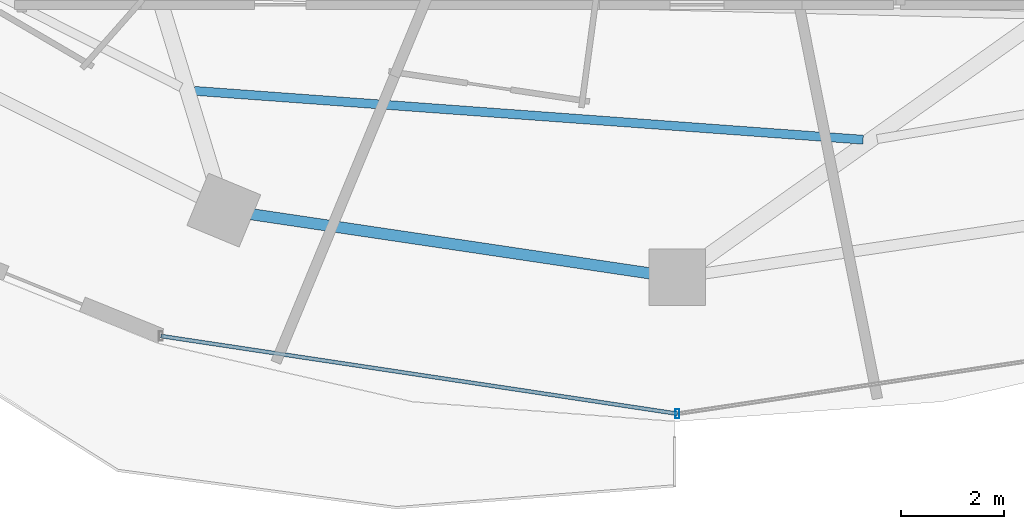
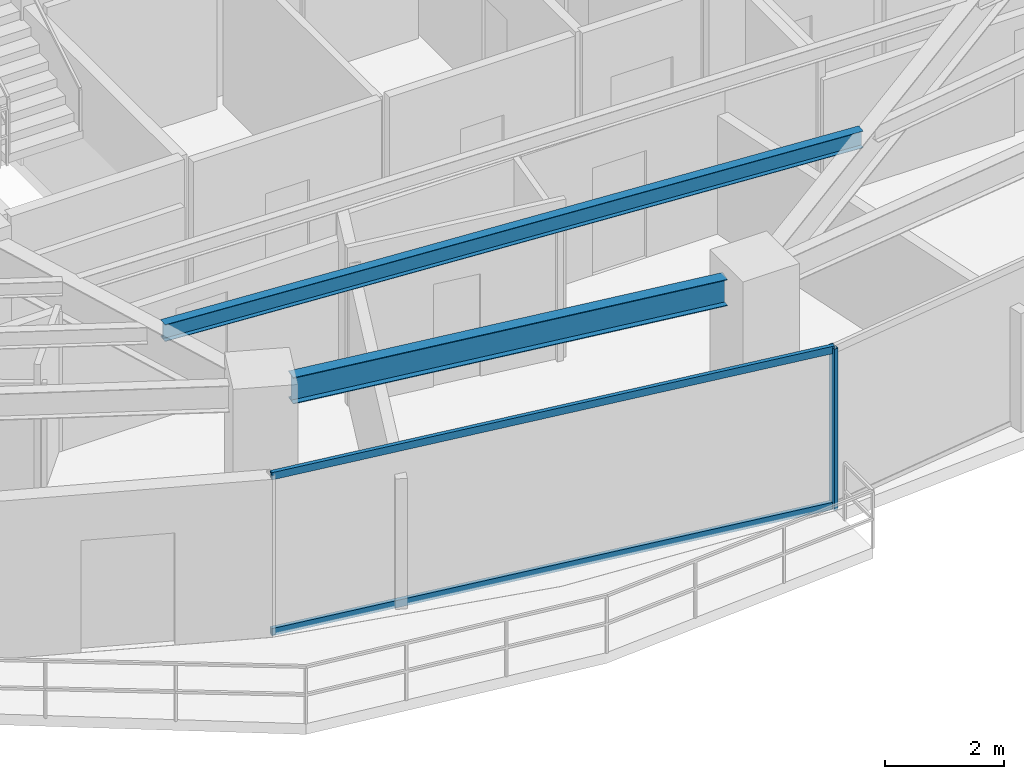
# One storey, part 5 of 29: 3 members, 2 beams, 1 element without a shape of its own.
"""IFC4 building model written with IfcOpenShell, lengths in metres."""

from ifc_helpers import new_model, si_unit, direction, frame, origin, origin_2d, place, context, subcontext, project, spatial, hollow_rectangle, i_section, extrude, material, material_profile, profile_set, type_object, element, aggregate, save


model = new_model("IFC4")

# Units and contexts
model_context = context("Model", 3, precision=1e-05, world=origin(), true_north=direction((0.0, 1.0)))
body_context = subcontext(model_context, "Body", "Model", "MODEL_VIEW")
ifc_project = project(units=[si_unit("LENGTHUNIT", "METRE"), si_unit("AREAUNIT", "SQUARE_METRE"), si_unit("VOLUMEUNIT", "CUBIC_METRE"), si_unit("PLANEANGLEUNIT", "RADIAN"), si_unit("MASSUNIT", "GRAM", prefix="KILO")], contexts=[model_context])

# Site, building, storey
site_placement = place(None, origin())
site = spatial("IfcSite", under=ifc_project, at=site_placement, CompositionType="ELEMENT")
building_placement = place(site_placement, origin())
building = spatial("IfcBuilding", under=site, at=building_placement, Name="Vorneva Point Tower", CompositionType="ELEMENT")
storey_placement = place(building_placement, frame((0.0, 0.0, 85.800048828125)))
storey = spatial("IfcBuildingStorey", under=building, at=storey_placement, Name="L22", CompositionType="ELEMENT", Elevation=85.800048828125)

# Beams
ifc_material_1 = material(Name="Steel S355", Category="steel")
ifc_material_profile_1 = material_profile(ifc_material_1, i_section(OverallWidth=0.174072265625, OverallDepth=0.345947265625, WebThickness=0.006103515625, FlangeThickness=0.009033203125, at=origin_2d()), Name="35B1")
ifc_profile_set_1 = profile_set([ifc_material_profile_1], Name="Steel S355")
beam_type_1 = type_object("IfcBeamType", Name="BM-SEC-35B1", PredefinedType="BEAM", material=ifc_profile_set_1)
beam_1_placement = place(storey_placement, frame((28.60791015625, 12.42919921875, 3.06689453125), z_axis=(0.997338408096, -0.072911588494, 0.0), x_axis=(0.072911588494, 0.997338408096, 0.0)))
element("IfcBeam", 1, at=beam_1_placement, inside=storey, type_object=beam_type_1, Name="L22 Secondary Floor Beam 1.12", PredefinedType="BEAM", context=body_context, shape_type="SweptSolid", body=[
    extrude(i_section(OverallWidth=0.174072265625, OverallDepth=0.345947265625, WebThickness=0.006103515625, FlangeThickness=0.009033203125, at=origin_2d()), origin(), (0.0, 0.0, 1.0), 13.038818359375),
])
ifc_material_profile_2 = material_profile(ifc_material_1, i_section(OverallWidth=0.219970703125, OverallDepth=0.54296875, WebThickness=0.009521484375, FlangeThickness=0.013427734375, at=origin_2d()), Name="55B1")
ifc_profile_set_2 = profile_set([ifc_material_profile_2], Name="Steel S355")
beam_type_2 = type_object("IfcBeamType", Name="BM-SPN-55B1", PredefinedType="SPANDREL", material=ifc_profile_set_2)
beam_2_placement = place(storey_placement, frame((29.708251953125, 10.03076171875, 2.968505859375), z_axis=(0.989164507783, -0.146811363806, 0.0), x_axis=(0.146811363806, 0.989164507783, 0.0)))
element("IfcBeam", 2, at=beam_2_placement, inside=storey, type_object=beam_type_2, Name="L22 Perimeter Spandrel Ring Beam 12", PredefinedType="SPANDREL", context=body_context, shape_type="SweptSolid", body=[
    extrude(i_section(OverallWidth=0.219970703125, OverallDepth=0.54296875, WebThickness=0.009521484375, FlangeThickness=0.013427734375, at=origin_2d()), origin(), (0.0, 0.0, 1.0), 7.847412109375),
])

# Curtain wall, members
ifc_material_2 = material(Name="Pale anodised aluminium", Category="aluminium")
curtain_wall_type = type_object("IfcCurtainWallType", Name="CW-HTL-SYS", PredefinedType="NOTDEFINED", material=ifc_material_2)
curtain_wall_placement = place(storey_placement, origin())
curtain_wall = element("IfcCurtainWall", 3, at=curtain_wall_placement, inside=storey, type_object=curtain_wall_type, Name="L22 Unitised Curtain Wall CW-L22-R03", PredefinedType="NOTDEFINED")
ifc_material_profile_3 = material_profile(ifc_material_2, hollow_rectangle(XDim=0.074951171875, YDim=0.179931640625, WallThickness=0.00390625, at=origin_2d()), Name="AL-MUL 180x75x4")
ifc_profile_set_3 = profile_set([ifc_material_profile_3], Name="Pale anodised aluminium")
member_type_1 = type_object("IfcMemberType", Name="CW-MUL-180", PredefinedType="MULLION", material=ifc_profile_set_3)
member_1_placement = place(storey_placement, frame((38.0, 6.14990234375, -0.0400390625), z_axis=(0.0, 0.0, 1.0), x_axis=(1.0, 0.0, 0.0)))
member_1 = element("IfcMember", 4, at=member_1_placement, type_object=member_type_1, Name="CW-L22-R03 Mullion 02", PredefinedType="MULLION", context=body_context, shape_type="SweptSolid", body=[
    extrude(hollow_rectangle(XDim=0.074951171875, YDim=0.179931640625, WallThickness=0.00390625, at=origin_2d()), origin(), (0.0, 0.0, 1.0), 3.31005859375),
])
ifc_material_profile_4 = material_profile(ifc_material_2, hollow_rectangle(XDim=0.074951171875, YDim=0.14990234375, WallThickness=0.00390625, at=origin_2d()), Name="AL-TRN 150x75x4")
ifc_profile_set_4 = profile_set([ifc_material_profile_4], Name="Pale anodised aluminium")
member_type_2 = type_object("IfcMemberType", Name="CW-TRN-150", PredefinedType="USERDEFINED", material=ifc_profile_set_4)
member_2_placement = place(storey_placement, frame((27.95458984375, 7.660888671875, 0.02001953125), z_axis=(0.988875982167, -0.148742367512, 0.0), x_axis=(0.148742367512, 0.988875982167, 0.0)))
member_2 = element("IfcMember", 5, at=member_2_placement, type_object=member_type_2, Name="CW-L22-R03 Transom 01.1", ObjectType="TRANSOM", PredefinedType="USERDEFINED", context=body_context, shape_type="SweptSolid", body=[
    extrude(hollow_rectangle(XDim=0.074951171875, YDim=0.14990234375, WallThickness=0.00390625, at=origin_2d()), origin(), (0.0, 0.0, 1.0), 10.158447265625),
])
member_3_placement = place(storey_placement, frame((27.95458984375, 7.660888671875, 3.219970703125), z_axis=(0.988875982167, -0.148742367512, 0.0), x_axis=(0.148742367512, 0.988875982167, 0.0)))
member_3 = element("IfcMember", 6, at=member_3_placement, type_object=member_type_2, Name="CW-L22-R03 Transom 01.2", ObjectType="TRANSOM", PredefinedType="USERDEFINED", context=body_context, shape_type="SweptSolid", body=[
    extrude(hollow_rectangle(XDim=0.074951171875, YDim=0.14990234375, WallThickness=0.00390625, at=origin_2d()), origin(), (0.0, 0.0, 1.0), 10.158447265625),
])
aggregate(curtain_wall, [member_1, member_2, member_3])

save(model, "model.ifc")
